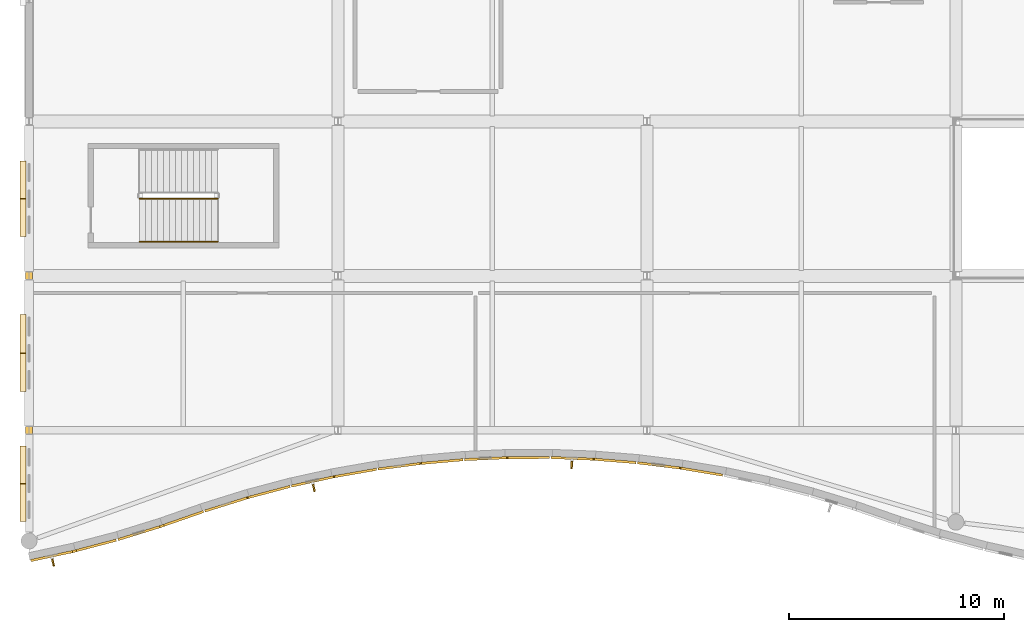
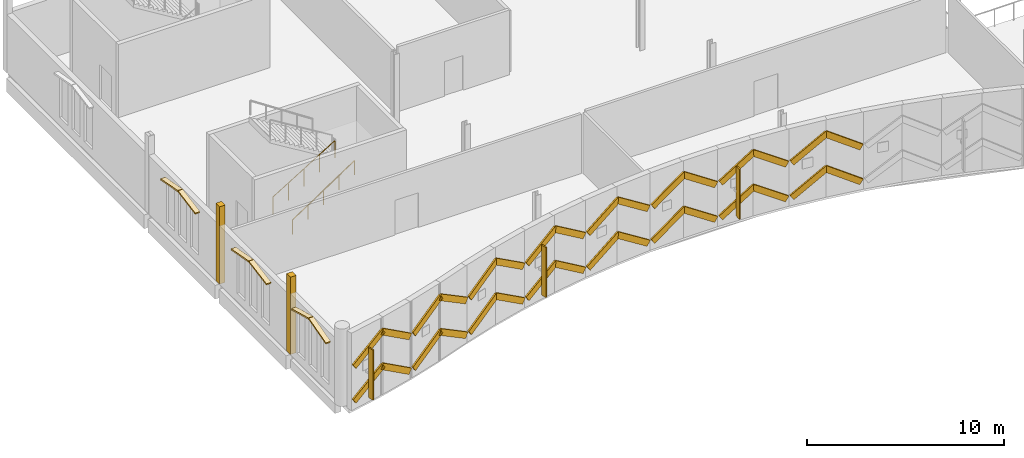
# One storey, part 171 of 193: 40 coverings, 3 shading devices, 2 railings.
"""IFC4 building model written with IfcOpenShell, lengths in metres."""

from ifc_helpers import new_model, si_unit, direction, frame, origin, origin_2d, place, context, subcontext, project, spatial, polyline, rectangle, circle, outline, extrude, material, layer, layer_set, type_object, element, save


model = new_model("IFC4")

# Units and contexts
model_context = context("Model", 3, precision=1e-05, world=origin(), true_north=direction((0.0, 1.0)))
body_context = subcontext(model_context, "Body", "Model", "MODEL_VIEW")
ifc_project = project(units=[si_unit("LENGTHUNIT", "METRE"), si_unit("AREAUNIT", "SQUARE_METRE"), si_unit("VOLUMEUNIT", "CUBIC_METRE"), si_unit("PLANEANGLEUNIT", "RADIAN"), si_unit("MASSUNIT", "GRAM", prefix="KILO")], contexts=[model_context])

# Site, building, storey
site_placement = place(None, origin())
site = spatial("IfcSite", under=ifc_project, at=site_placement, CompositionType="ELEMENT")
building_placement = place(site_placement, origin())
building = spatial("IfcBuilding", under=site, at=building_placement, Name="Cendralis Lancet Convention Centre", CompositionType="ELEMENT")
storey_placement = place(building_placement, frame((0.0, 0.0, 10.199951171875)))
storey = spatial("IfcBuildingStorey", under=building, at=storey_placement, Name="L02", CompositionType="ELEMENT", Elevation=10.199951171875)

# Coverings
ifc_material_1 = material(Name="Warm buff sandstone chevron cassette", Category="masonry")
ifc_layer_1 = layer(ifc_material_1, 0.06005859375, Name="Warm buff sandstone chevron cassette")
ifc_layer_set_1 = layer_set([ifc_layer_1], Name="Warm buff sandstone chevron cassette")
covering_type_1 = type_object("IfcCoveringType", Name="ARC-CV-CLAD1", PredefinedType="CLADDING", material=ifc_layer_set_1)
covering_1_placement = place(storey_placement, frame((0.09521484375, 1.074462890625, 0.699951171875), z_axis=(-0.534264422169, -0.115352545696, 0.837409886141), x_axis=(0.818477390055, 0.177059631031, 0.546575382749)))
element("IfcCovering", 1, at=covering_1_placement, inside=storey, type_object=covering_type_1, Name="L02 Diagonal Stone Chevron Relief CL-ST1 #0003", PredefinedType="CLADDING", context=body_context, shape_type="SweptSolid", body=[
    extrude(outline(polyline([(0.0, 0.0), (2.3785352746506123, -5.095750210681871e-18), (2.3785721119549623, 0.10989717826507894), (3.683730435013327e-05, 0.10989717826507893), (0.0, 0.0)])), origin(), (0.0, 0.0, -1.0), 0.360107421875),
])
covering_2_placement = place(storey_placement, frame((2.130859375, 1.516845703125, 2.0), z_axis=(0.524606171224, 0.137927454891, 0.84009784091), x_axis=(0.81262432803, 0.213087239418, -0.54243481626)))
element("IfcCovering", 2, at=covering_2_placement, inside=storey, type_object=covering_type_1, Name="L02 Diagonal Stone Chevron Relief CL-ST1 #0009", PredefinedType="CLADDING", context=body_context, shape_type="SweptSolid", body=[
    extrude(outline(polyline([(0.0, 0.0), (2.3968165992358967, -1.533603972980746e-16), (2.396631333470113, 0.10984953104359214), (6.51520973630644e-05, 0.11002370531413276), (0.0, 0.0)])), origin(), (0.0, 0.0, -1.0), 0.360107421875),
])
covering_3_placement = place(storey_placement, frame((4.16650390625, 2.052734375, 0.699951171875), z_axis=(-0.513116687183, -0.159304831951, 0.843405736198), x_axis=(0.805718133303, 0.249302453814, 0.537277001359)))
element("IfcCovering", 3, at=covering_3_placement, inside=storey, type_object=covering_type_1, Name="L02 Diagonal Stone Chevron Relief CL-ST1 #0015", PredefinedType="CLADDING", context=body_context, shape_type="SweptSolid", body=[
    extrude(outline(polyline([(0.0, 0.0), (2.419797707072139, 7.686993402922226e-17), (2.419610652696563, 0.10995963308373377), (9.654153062380044e-06, 0.10988740311742318), (0.0, 0.0)])), origin(), (0.0, 0.0, -1.0), 0.360107421875),
])
covering_4_placement = place(storey_placement, frame((6.200927734375, 2.683837890625, 2.0), z_axis=(0.503400481983, 0.174890308294, 0.846168620787), x_axis=(0.799122559196, 0.278216745719, -0.532915169408)))
element("IfcCovering", 4, at=covering_4_placement, inside=storey, type_object=covering_type_1, Name="L02 Diagonal Stone Chevron Relief CL-ST1 #0021", PredefinedType="CLADDING", context=body_context, shape_type="SweptSolid", body=[
    extrude(outline(polyline([(0.0, 0.0), (2.439504264008427, 3.7513395167998453e-17), (2.439565346751399, 0.11010172080089158), (6.10827429723855e-05, 0.11010172080089148), (0.0, 0.0)])), origin(), (0.0, 0.0, -1.0), 0.360107421875),
])
covering_5_placement = place(storey_placement, frame((8.218505859375, 3.385009765625, 0.699951171875), z_axis=(-0.512432144348, -0.160879859272, 0.843522950678), x_axis=(0.804983924834, 0.252055485297, 0.537093020892)))
element("IfcCovering", 5, at=covering_5_placement, inside=storey, type_object=covering_type_1, Name="L02 Diagonal Stone Chevron Relief CL-ST1 #0027", PredefinedType="CLADDING", context=body_context, shape_type="SweptSolid", body=[
    extrude(outline(polyline([(0.0, 0.0), (2.4205282466077915, -1.0072238182390336e-16), (2.420457697004613, 0.11003267011553743), (-7.054960317889533e-05, 0.11003267011553755), (0.0, 0.0)])), origin(), (0.0, 0.0, -1.0), 0.360107421875),
])
covering_6_placement = place(storey_placement, frame((10.232666015625, 4.01416015625, 2.0), z_axis=(0.524033667358, 0.138820845367, 0.840307972334), x_axis=(0.812149151955, 0.215711222203, -0.542109235851)))
element("IfcCovering", 6, at=covering_6_placement, inside=storey, type_object=covering_type_1, Name="L02 Diagonal Stone Chevron Relief CL-ST1 #0033", PredefinedType="CLADDING", context=body_context, shape_type="SweptSolid", body=[
    extrude(outline(polyline([(0.0, 0.0), (2.398229906017896, -1.7564075194265172e-17), (2.3981910366950805, 0.11014825940735083), (0.00015940927873638391, 0.11008563247323438), (0.0, 0.0)])), origin(), (0.0, 0.0, -1.0), 0.360107421875),
])
covering_7_placement = place(storey_placement, frame((12.246826171875, 4.5478515625, 0.699951171875), z_axis=(-0.533420798181, -0.116988879601, 0.837720630113), x_axis=(0.81822789198, 0.179663528864, 0.546099014083)))
element("IfcCovering", 7, at=covering_7_placement, inside=storey, type_object=covering_type_1, Name="L02 Diagonal Stone Chevron Relief CL-ST1 #0039", PredefinedType="CLADDING", context=body_context, shape_type="SweptSolid", body=[
    extrude(outline(polyline([(0.0, 0.0), (2.380709986003062, 9.0015885370609e-17), (2.3806328002555412, 0.11000122332785592), (0.00012257692141973142, 0.10994888071154302), (0.0, 0.0)])), origin(), (0.0, 0.0, -1.0), 0.360107421875),
])
covering_8_placement = place(storey_placement, frame((14.26220703125, 4.989013671875, 2.0), z_axis=(0.54132887114, 0.095205528633, 0.835403471736), x_axis=(0.822864596365, 0.144197422804, -0.549637116019)))
element("IfcCovering", 8, at=covering_8_placement, inside=storey, type_object=covering_type_1, Name="L02 Diagonal Stone Chevron Relief CL-ST1 #0045", PredefinedType="CLADDING", context=body_context, shape_type="SweptSolid", body=[
    extrude(outline(polyline([(0.0, 0.0), (2.365268067548942, 1.588356182691264e-17), (2.365229058078382, 0.11005841291991537), (-7.4213919486487e-05, 0.10981794456539315), (0.0, 0.0)])), origin(), (0.0, 0.0, -1.0), 0.360107421875),
])
covering_9_placement = place(storey_placement, frame((16.276123046875, 5.340576171875, 0.699951171875), z_axis=(-0.547501786097, -0.072346260649, 0.833671285814), x_axis=(0.826583035916, 0.108482543318, 0.552260828351)))
element("IfcCovering", 9, at=covering_9_placement, inside=storey, type_object=covering_type_1, Name="L02 Diagonal Stone Chevron Relief CL-ST1 #0051", PredefinedType="CLADDING", context=body_context, shape_type="SweptSolid", body=[
    extrude(outline(polyline([(0.0, 0.0), (2.3540352655105607, 1.0191500421363742e-17), (2.353967711248907, 0.11007735277893672), (-9.403925758104219e-05, 0.1098352965454656), (0.0, 0.0)])), origin(), (0.0, 0.0, -1.0), 0.360107421875),
])
covering_10_placement = place(storey_placement, frame((18.290283203125, 5.603515625, 2.0), z_axis=(0.551959934038, 0.049172377197, 0.83241955079), x_axis=(0.829189448705, 0.07326171836, -0.554145810035)))
element("IfcCovering", 10, at=covering_10_placement, inside=storey, type_object=covering_type_1, Name="L02 Diagonal Stone Chevron Relief CL-ST1 #0057", PredefinedType="CLADDING", context=body_context, shape_type="SweptSolid", body=[
    extrude(outline(polyline([(0.0, 0.0), (2.3460410682233244, -1.4040418133687282e-17), (2.345974401620591, 0.11005325519296659), (-6.666660273303357e-05, 0.11005325519296662), (0.0, 0.0)])), origin(), (0.0, 0.0, -1.0), 0.360107421875),
])
covering_11_placement = place(storey_placement, frame((20.303955078125, 5.780029296875, 0.699951171875), z_axis=(-0.554551451117, -0.024646731161, 0.831784363105), x_axis=(0.830928034886, 0.037736287621, 0.55509870603)))
element("IfcCovering", 11, at=covering_11_placement, inside=storey, type_object=covering_type_1, Name="L02 Diagonal Stone Chevron Relief CL-ST1 #0063", PredefinedType="CLADDING", context=body_context, shape_type="SweptSolid", body=[
    extrude(outline(polyline([(0.0, 0.0), (2.3420137968284065, -2.168404344971009e-19), (2.3421023634133253, 0.10997169899972807), (8.856658491903681e-05, 0.10997169899972807), (0.0, 0.0)])), origin(), (0.0, 0.0, -1.0), 0.360107421875),
])
covering_12_placement = place(storey_placement, frame((22.319091796875, 5.8701171875, 2.0), z_axis=(0.555705344938, 0.001848243941, 0.831377263101), x_axis=(0.83137100905, 0.003235303625, -0.555708357074)))
element("IfcCovering", 12, at=covering_12_placement, inside=storey, type_object=covering_type_1, Name="L02 Diagonal Stone Chevron Relief CL-ST1 #0069", PredefinedType="CLADDING", context=body_context, shape_type="SweptSolid", body=[
    extrude(outline(polyline([(0.0, 0.0), (2.339342957500622, -2.4936649967166602e-18), (2.3394962170040134, 0.11010756498317643), (-4.971193436520963e-05, 0.11010847241542183), (0.0, 0.0)])), origin(), (0.0, 0.0, -1.0), 0.360107421875),
])
covering_13_placement = place(storey_placement, frame((24.33251953125, 5.876708984375, 0.699951171875), z_axis=(-0.554951138178, 0.022198045527, 0.831586724888), x_axis=(0.830953976238, -0.032437139025, 0.555394743751)))
element("IfcCovering", 13, at=covering_13_placement, inside=storey, type_object=covering_type_1, Name="L02 Diagonal Stone Chevron Relief CL-ST1 #0075", PredefinedType="CLADDING", context=body_context, shape_type="SweptSolid", body=[
    extrude(outline(polyline([(0.0, 0.0), (2.3407654515132994, -1.1384122811097797e-17), (2.34085345420157, 0.10995110152904647), (8.80026882704439e-05, 0.10995110152904647), (0.0, 0.0)])), origin(), (0.0, 0.0, -1.0), 0.360107421875),
])
covering_14_placement = place(storey_placement, frame((26.346435546875, 5.796630859375, 2.0), z_axis=(0.552585910248, -0.0449206809, 0.832244521894), x_axis=(0.829531137525, -0.067149540696, -0.554408722029)))
element("IfcCovering", 14, at=covering_14_placement, inside=storey, type_object=covering_type_1, Name="L02 Diagonal Stone Chevron Relief CL-ST1 #0081", PredefinedType="CLADDING", context=body_context, shape_type="SweptSolid", body=[
    extrude(outline(polyline([(0.0, 0.0), (2.3450297857293902, -4.174178364069192e-18), (2.3449597117983223, 0.10997087864770992), (0.00013244831930383193, 0.10999060258684137), (0.0, 0.0)])), origin(), (0.0, 0.0, -1.0), 0.360107421875),
])
covering_15_placement = place(storey_placement, frame((28.360107421875, 5.632080078125, 0.699951171875), z_axis=(-0.548525685574, 0.067491974735, 0.833405306926), x_axis=(0.827073125683, -0.10254087692, 0.552662114979)))
element("IfcCovering", 15, at=covering_15_placement, inside=storey, type_object=covering_type_1, Name="L02 Diagonal Stone Chevron Relief CL-ST1 #0087", PredefinedType="CLADDING", context=body_context, shape_type="SweptSolid", body=[
    extrude(outline(polyline([(0.0, 0.0), (2.3523393279369476, 3.686287386450715e-17), (2.3522546721579833, 0.10995381463037417), (-8.46557789641808e-05, 0.10995381463037412), (0.0, 0.0)])), origin(), (0.0, 0.0, -1.0), 0.360107421875),
])
covering_16_placement = place(storey_placement, frame((30.373779296875, 5.381103515625, 2.0), z_axis=(0.542412257957, -0.090910490929, 0.835179157461), x_axis=(0.823717737844, -0.137888802607, -0.549977969084)))
element("IfcCovering", 16, at=covering_16_placement, inside=storey, type_object=covering_type_1, Name="L02 Diagonal Stone Chevron Relief CL-ST1 #0093", PredefinedType="CLADDING", context=body_context, shape_type="SweptSolid", body=[
    extrude(outline(polyline([(0.0, 0.0), (2.363736131873474, 4.50079426853045e-17), (2.36383825911422, 0.11017473594647724), (-6.531146414592501e-05, 0.10989362576594278), (0.0, 0.0)])), origin(), (0.0, 0.0, -1.0), 0.360107421875),
])
for number, where, z_axis, x_axis, name in (
    (17, (-0.419921875, 2.960205078125, 3.27001953125), (0.0, -0.262000790167, 0.965067658743), (1.0, 0.0, 0.0), "L02 Gothic Pointed Lancet Hood-Mould #0271L"),
    (18, (-0.419921875, 4.730224609375, 3.7451171875), (0.0, 0.262000790167, 0.965067658743), (1.0, 0.0, 0.0), "L02 Gothic Pointed Lancet Hood-Mould #0272R"),
):
    element("IfcCovering", number, at=place(storey_placement, frame(where, z_axis=z_axis, x_axis=x_axis)), inside=storey, type_object=covering_type_1, Name=name, PredefinedType="CLADDING", context=body_context, shape_type="SweptSolid", body=[
        extrude(outline(polyline([(0.0, 0.0), (0.284912109375, 0.0), (0.284912109375, 1.8133443641443958), (0.0, 1.8133443641443958), (0.0, 0.0)])), origin(), (0.0, 0.0, -1.0), 0.090087890625),
    ])
for number, where, z_axis, x_axis, name in (
    (19, (-0.419921875, 9.0, 3.27001953125), (0.0, -0.178613820285, 0.983919256445), (1.0, 0.0, 0.0), "L02 Gothic Pointed Lancet Hood-Mould #0273L"),
    (20, (-0.419921875, 10.81005859375, 3.594970703125), (0.0, 0.178613820285, 0.983919256445), (1.0, 0.0, 0.0), "L02 Gothic Pointed Lancet Hood-Mould #0274R"),
):
    element("IfcCovering", number, at=place(storey_placement, frame(where, z_axis=z_axis, x_axis=x_axis)), inside=storey, type_object=covering_type_1, Name=name, PredefinedType="CLADDING", context=body_context, shape_type="SweptSolid", body=[
        extrude(outline(polyline([(0.0, 0.0), (0.284912109375, 0.0), (0.284912109375, 1.81929467359711), (0.0, 1.81929467359711), (0.0, 0.0)])), origin(), (0.0, 0.0, -1.0), 0.090087890625),
    ])
for number, where, z_axis, x_axis, name in (
    (21, (-0.419921875, 16.239990234375, 3.27001953125), (0.0, -0.182565675527, 0.983193660537), (1.0, 0.0, 0.0), "L02 Gothic Pointed Lancet Hood-Mould #0275L"),
    (22, (-0.419921875, 18.010009765625, 3.594970703125), (0.0, 0.182565675527, 0.983193660537), (1.0, 0.0, 0.0), "L02 Gothic Pointed Lancet Hood-Mould #0276R"),
):
    element("IfcCovering", number, at=place(storey_placement, frame(where, z_axis=z_axis, x_axis=x_axis)), inside=storey, type_object=covering_type_1, Name=name, PredefinedType="CLADDING", context=body_context, shape_type="SweptSolid", body=[
        extrude(outline(polyline([(0.0, 0.0), (0.284912109375, 0.0), (0.284912109375, 1.7799138361457094), (0.0, 1.7799138361457094), (0.0, 0.0)])), origin(), (0.0, 0.0, -1.0), 0.090087890625),
    ])
covering_17_placement = place(storey_placement, origin())
element("IfcCovering", 23, at=covering_17_placement, inside=storey, type_object=covering_type_1, Name="Exterior Column Stone Fire-Casing L02 #017", PredefinedType="CLADDING", context=body_context, shape_type="SweptSolid", body=[
    extrude(outline(polyline([(-0.162109375, 7.008056640625), (0.162109375, 7.008056640625), (0.162109375, 7.39208984375), (-0.162109375, 7.39208984375), (-0.162109375, 7.008056640625)])), origin(), (0.0, 0.0, 1.0), 4.800048828125),
])
covering_18_placement = place(storey_placement, origin())
element("IfcCovering", 24, at=covering_18_placement, inside=storey, type_object=covering_type_1, Name="Exterior Column Stone Fire-Casing L02 #018", PredefinedType="CLADDING", context=body_context, shape_type="SweptSolid", body=[
    extrude(outline(polyline([(-0.162109375, 14.2080078125), (0.162109375, 14.2080078125), (0.162109375, 14.592041015625), (-0.162109375, 14.592041015625), (-0.162109375, 14.2080078125)])), origin(), (0.0, 0.0, 1.0), 4.800048828125),
])
ifc_material_2 = material(Name="Dark Andean slate chevron cassette", Category="masonry")
ifc_layer_2 = layer(ifc_material_2, 0.06005859375, Name="Dark Andean slate chevron cassette")
ifc_layer_set_2 = layer_set([ifc_layer_2], Name="Dark Andean slate chevron cassette")
covering_type_2 = type_object("IfcCoveringType", Name="ARC-CV-CLAD2", PredefinedType="CLADDING", material=ifc_layer_set_2)
covering_19_placement = place(storey_placement, frame((0.09521484375, 1.074462890625, 2.85009765625), z_axis=(-0.534264422169, -0.115352545696, 0.837409886141), x_axis=(0.818477390055, 0.177059631031, 0.546575382749)))
element("IfcCovering", 25, at=covering_19_placement, inside=storey, type_object=covering_type_2, Name="L02 Diagonal Stone Chevron Relief CL-ST2 #0004", PredefinedType="CLADDING", context=body_context, shape_type="SweptSolid", body=[
    extrude(outline(polyline([(0.0, 0.0), (2.3785352746506123, -5.095750210681871e-18), (2.3785721119549623, 0.10989717826507894), (3.683730435013327e-05, 0.10989717826507893), (0.0, 0.0)])), origin(), (0.0, 0.0, -1.0), 0.360107421875),
])
covering_20_placement = place(storey_placement, frame((2.130859375, 1.516845703125, 4.150146484375), z_axis=(0.524606171224, 0.137927454891, 0.84009784091), x_axis=(0.81262432803, 0.213087239418, -0.54243481626)))
element("IfcCovering", 26, at=covering_20_placement, inside=storey, type_object=covering_type_2, Name="L02 Diagonal Stone Chevron Relief CL-ST2 #0010", PredefinedType="CLADDING", context=body_context, shape_type="SweptSolid", body=[
    extrude(outline(polyline([(0.0, 0.0), (2.3968165992358967, -1.533603972980746e-16), (2.396631333470113, 0.10984953104359214), (6.51520973630644e-05, 0.11002370531413276), (0.0, 0.0)])), origin(), (0.0, 0.0, -1.0), 0.360107421875),
])
covering_21_placement = place(storey_placement, frame((4.16650390625, 2.052734375, 2.85009765625), z_axis=(-0.513116687183, -0.159304831951, 0.843405736198), x_axis=(0.805718133303, 0.249302453814, 0.537277001359)))
element("IfcCovering", 27, at=covering_21_placement, inside=storey, type_object=covering_type_2, Name="L02 Diagonal Stone Chevron Relief CL-ST2 #0016", PredefinedType="CLADDING", context=body_context, shape_type="SweptSolid", body=[
    extrude(outline(polyline([(0.0, 0.0), (2.419797707072139, 7.686993402922226e-17), (2.419610652696563, 0.10995963308373377), (9.654153062380044e-06, 0.10988740311742318), (0.0, 0.0)])), origin(), (0.0, 0.0, -1.0), 0.360107421875),
])
covering_22_placement = place(storey_placement, frame((6.200927734375, 2.683837890625, 4.150146484375), z_axis=(0.503400481983, 0.174890308294, 0.846168620787), x_axis=(0.799122559196, 0.278216745719, -0.532915169408)))
element("IfcCovering", 28, at=covering_22_placement, inside=storey, type_object=covering_type_2, Name="L02 Diagonal Stone Chevron Relief CL-ST2 #0022", PredefinedType="CLADDING", context=body_context, shape_type="SweptSolid", body=[
    extrude(outline(polyline([(0.0, 0.0), (2.439504264008427, 3.7513395167998453e-17), (2.439565346751399, 0.11010172080089158), (6.10827429723855e-05, 0.11010172080089148), (0.0, 0.0)])), origin(), (0.0, 0.0, -1.0), 0.360107421875),
])
covering_23_placement = place(storey_placement, frame((8.218505859375, 3.385009765625, 2.85009765625), z_axis=(-0.512432144348, -0.160879859272, 0.843522950678), x_axis=(0.804983924834, 0.252055485297, 0.537093020892)))
element("IfcCovering", 29, at=covering_23_placement, inside=storey, type_object=covering_type_2, Name="L02 Diagonal Stone Chevron Relief CL-ST2 #0028", PredefinedType="CLADDING", context=body_context, shape_type="SweptSolid", body=[
    extrude(outline(polyline([(0.0, 0.0), (2.4205282466077915, -1.0072238182390336e-16), (2.420457697004613, 0.11003267011553743), (-7.054960317889533e-05, 0.11003267011553755), (0.0, 0.0)])), origin(), (0.0, 0.0, -1.0), 0.360107421875),
])
covering_24_placement = place(storey_placement, frame((10.232666015625, 4.01416015625, 4.150146484375), z_axis=(0.524033667358, 0.138820845367, 0.840307972334), x_axis=(0.812149151955, 0.215711222203, -0.542109235851)))
element("IfcCovering", 30, at=covering_24_placement, inside=storey, type_object=covering_type_2, Name="L02 Diagonal Stone Chevron Relief CL-ST2 #0034", PredefinedType="CLADDING", context=body_context, shape_type="SweptSolid", body=[
    extrude(outline(polyline([(0.0, 0.0), (2.398229906017896, -1.7564075194265172e-17), (2.3981910366950805, 0.11014825940735083), (0.00015940927873638391, 0.11008563247323438), (0.0, 0.0)])), origin(), (0.0, 0.0, -1.0), 0.360107421875),
])
covering_25_placement = place(storey_placement, frame((12.246826171875, 4.5478515625, 2.85009765625), z_axis=(-0.533420798181, -0.116988879601, 0.837720630113), x_axis=(0.81822789198, 0.179663528864, 0.546099014083)))
element("IfcCovering", 31, at=covering_25_placement, inside=storey, type_object=covering_type_2, Name="L02 Diagonal Stone Chevron Relief CL-ST2 #0040", PredefinedType="CLADDING", context=body_context, shape_type="SweptSolid", body=[
    extrude(outline(polyline([(0.0, 0.0), (2.380709986003062, 9.0015885370609e-17), (2.3806328002555412, 0.11000122332785592), (0.00012257692141973142, 0.10994888071154302), (0.0, 0.0)])), origin(), (0.0, 0.0, -1.0), 0.360107421875),
])
covering_26_placement = place(storey_placement, frame((14.26220703125, 4.989013671875, 4.150146484375), z_axis=(0.54132887114, 0.095205528633, 0.835403471736), x_axis=(0.822864596365, 0.144197422804, -0.549637116019)))
element("IfcCovering", 32, at=covering_26_placement, inside=storey, type_object=covering_type_2, Name="L02 Diagonal Stone Chevron Relief CL-ST2 #0046", PredefinedType="CLADDING", context=body_context, shape_type="SweptSolid", body=[
    extrude(outline(polyline([(0.0, 0.0), (2.365268067548942, 1.588356182691264e-17), (2.365229058078382, 0.11005841291991537), (-7.4213919486487e-05, 0.10981794456539315), (0.0, 0.0)])), origin(), (0.0, 0.0, -1.0), 0.360107421875),
])
covering_27_placement = place(storey_placement, frame((16.276123046875, 5.340576171875, 2.85009765625), z_axis=(-0.547501786097, -0.072346260649, 0.833671285814), x_axis=(0.826583035916, 0.108482543318, 0.552260828351)))
element("IfcCovering", 33, at=covering_27_placement, inside=storey, type_object=covering_type_2, Name="L02 Diagonal Stone Chevron Relief CL-ST2 #0052", PredefinedType="CLADDING", context=body_context, shape_type="SweptSolid", body=[
    extrude(outline(polyline([(0.0, 0.0), (2.3540352655105607, 1.0191500421363742e-17), (2.353967711248907, 0.11007735277893672), (-9.403925758104219e-05, 0.1098352965454656), (0.0, 0.0)])), origin(), (0.0, 0.0, -1.0), 0.360107421875),
])
covering_28_placement = place(storey_placement, frame((18.290283203125, 5.603515625, 4.150146484375), z_axis=(0.551959934038, 0.049172377197, 0.83241955079), x_axis=(0.829189448705, 0.07326171836, -0.554145810035)))
element("IfcCovering", 34, at=covering_28_placement, inside=storey, type_object=covering_type_2, Name="L02 Diagonal Stone Chevron Relief CL-ST2 #0058", PredefinedType="CLADDING", context=body_context, shape_type="SweptSolid", body=[
    extrude(outline(polyline([(0.0, 0.0), (2.3460410682233244, -1.4040418133687282e-17), (2.345974401620591, 0.11005325519296659), (-6.666660273303357e-05, 0.11005325519296662), (0.0, 0.0)])), origin(), (0.0, 0.0, -1.0), 0.360107421875),
])
covering_29_placement = place(storey_placement, frame((20.303955078125, 5.780029296875, 2.85009765625), z_axis=(-0.554551451117, -0.024646731161, 0.831784363105), x_axis=(0.830928034886, 0.037736287621, 0.55509870603)))
element("IfcCovering", 35, at=covering_29_placement, inside=storey, type_object=covering_type_2, Name="L02 Diagonal Stone Chevron Relief CL-ST2 #0064", PredefinedType="CLADDING", context=body_context, shape_type="SweptSolid", body=[
    extrude(outline(polyline([(0.0, 0.0), (2.3420137968284065, -2.168404344971009e-19), (2.3421023634133253, 0.10997169899972807), (8.856658491903681e-05, 0.10997169899972807), (0.0, 0.0)])), origin(), (0.0, 0.0, -1.0), 0.360107421875),
])
covering_30_placement = place(storey_placement, frame((22.319091796875, 5.8701171875, 4.150146484375), z_axis=(0.555705344938, 0.001848243941, 0.831377263101), x_axis=(0.83137100905, 0.003235303625, -0.555708357074)))
element("IfcCovering", 36, at=covering_30_placement, inside=storey, type_object=covering_type_2, Name="L02 Diagonal Stone Chevron Relief CL-ST2 #0070", PredefinedType="CLADDING", context=body_context, shape_type="SweptSolid", body=[
    extrude(outline(polyline([(0.0, 0.0), (2.339342957500622, -2.4936649967166602e-18), (2.3394962170040134, 0.11010756498317643), (-4.971193436520963e-05, 0.11010847241542183), (0.0, 0.0)])), origin(), (0.0, 0.0, -1.0), 0.360107421875),
])
covering_31_placement = place(storey_placement, frame((24.33251953125, 5.876708984375, 2.85009765625), z_axis=(-0.554951138178, 0.022198045527, 0.831586724888), x_axis=(0.830953976238, -0.032437139025, 0.555394743751)))
element("IfcCovering", 37, at=covering_31_placement, inside=storey, type_object=covering_type_2, Name="L02 Diagonal Stone Chevron Relief CL-ST2 #0076", PredefinedType="CLADDING", context=body_context, shape_type="SweptSolid", body=[
    extrude(outline(polyline([(0.0, 0.0), (2.3407654515132994, -1.1384122811097797e-17), (2.34085345420157, 0.10995110152904647), (8.80026882704439e-05, 0.10995110152904647), (0.0, 0.0)])), origin(), (0.0, 0.0, -1.0), 0.360107421875),
])
covering_32_placement = place(storey_placement, frame((26.346435546875, 5.796630859375, 4.150146484375), z_axis=(0.552585910248, -0.0449206809, 0.832244521894), x_axis=(0.829531137525, -0.067149540696, -0.554408722029)))
element("IfcCovering", 38, at=covering_32_placement, inside=storey, type_object=covering_type_2, Name="L02 Diagonal Stone Chevron Relief CL-ST2 #0082", PredefinedType="CLADDING", context=body_context, shape_type="SweptSolid", body=[
    extrude(outline(polyline([(0.0, 0.0), (2.3450297857293902, -4.174178364069192e-18), (2.3449597117983223, 0.10997087864770992), (0.00013244831930383193, 0.10999060258684137), (0.0, 0.0)])), origin(), (0.0, 0.0, -1.0), 0.360107421875),
])
covering_33_placement = place(storey_placement, frame((28.360107421875, 5.632080078125, 2.85009765625), z_axis=(-0.548525685574, 0.067491974735, 0.833405306926), x_axis=(0.827073125683, -0.10254087692, 0.552662114979)))
element("IfcCovering", 39, at=covering_33_placement, inside=storey, type_object=covering_type_2, Name="L02 Diagonal Stone Chevron Relief CL-ST2 #0088", PredefinedType="CLADDING", context=body_context, shape_type="SweptSolid", body=[
    extrude(outline(polyline([(0.0, 0.0), (2.3523393279369476, 3.686287386450715e-17), (2.3522546721579833, 0.10995381463037417), (-8.46557789641808e-05, 0.10995381463037412), (0.0, 0.0)])), origin(), (0.0, 0.0, -1.0), 0.360107421875),
])
covering_34_placement = place(storey_placement, frame((30.373779296875, 5.381103515625, 4.150146484375), z_axis=(0.542412257957, -0.090910490929, 0.835179157461), x_axis=(0.823717737844, -0.137888802607, -0.549977969084)))
element("IfcCovering", 40, at=covering_34_placement, inside=storey, type_object=covering_type_2, Name="L02 Diagonal Stone Chevron Relief CL-ST2 #0094", PredefinedType="CLADDING", context=body_context, shape_type="SweptSolid", body=[
    extrude(outline(polyline([(0.0, 0.0), (2.363736131873474, 4.50079426853045e-17), (2.36383825911422, 0.11017473594647724), (-6.531146414592501e-05, 0.10989362576594278), (0.0, 0.0)])), origin(), (0.0, 0.0, -1.0), 0.360107421875),
])

# Railings
ifc_material_3 = material(Name="Steel S355", Category="steel")
railing_type_1 = type_object("IfcRailingType", Name="ARC-RL-CGD", PredefinedType="GUARDRAIL", material=ifc_material_3)
railing_1_placement = place(storey_placement, frame((5.14990234375, 18.0, 0.17138671875)))
element("IfcRailing", 41, at=railing_1_placement, inside=storey, type_object=railing_type_1, Name="L02 ST-17 stair guard 1", PredefinedType="GUARDRAIL", context=body_context, shape_type="SweptSolid", body=[
    extrude(circle(Radius=0.02392578125, at=origin_2d()), frame((0.0, 0.0, 1.076171875), z_axis=(0.852840387347, 0.0, 0.522171689878), x_axis=(0.0, 1.0, 0.0)), (0.0, 0.0, 1.0), 4.268310546875),
    extrude(circle(Radius=0.02099609375, at=origin_2d()), origin(), (0.0, 0.0, 1.0), 1.052001953125),
    extrude(circle(Radius=0.02099609375, at=origin_2d()), frame((0.91015625, 0.0, 0.55712890625)), (0.0, 0.0, 1.0), 1.052001953125),
    extrude(circle(Radius=0.02099609375, at=origin_2d()), frame((1.820068359375, 0.0, 1.1142578125)), (0.0, 0.0, 1.0), 1.052001953125),
    extrude(circle(Radius=0.02099609375, at=origin_2d()), frame((2.72998046875, 0.0, 1.671630859375)), (0.0, 0.0, 1.0), 1.052001953125),
    extrude(circle(Radius=0.02099609375, at=origin_2d()), frame((3.64013671875, 0.0, 2.228759765625)), (0.0, 0.0, 1.0), 1.052001953125),
])
railing_type_2 = type_object("IfcRailingType", Name="ARC-RL-CHR", PredefinedType="HANDRAIL", material=ifc_material_3)
railing_2_placement = place(storey_placement, frame((5.14990234375, 16.0, 0.17138671875)))
element("IfcRailing", 42, at=railing_2_placement, inside=storey, type_object=railing_type_2, Name="L02 ST-17 stair handrail 1", PredefinedType="HANDRAIL", context=body_context, shape_type="SweptSolid", body=[
    extrude(circle(Radius=0.02392578125, at=origin_2d()), frame((0.0, 0.0, 0.8759765625), z_axis=(0.834856447115, 0.0, 0.55046772177), x_axis=(0.0, 1.0, 0.0)), (0.0, 0.0, 1.0), 4.360107421875),
    extrude(circle(Radius=0.02099609375, at=origin_2d()), origin(), (0.0, 0.0, 1.0), 0.851806640625),
    extrude(circle(Radius=0.02099609375, at=origin_2d()), frame((0.91015625, 0.0, 0.60009765625)), (0.0, 0.0, 1.0), 0.851806640625),
    extrude(circle(Radius=0.02099609375, at=origin_2d()), frame((1.820068359375, 0.0, 1.2001953125)), (0.0, 0.0, 1.0), 0.851806640625),
    extrude(circle(Radius=0.02099609375, at=origin_2d()), frame((2.72998046875, 0.0, 1.800048828125)), (0.0, 0.0, 1.0), 0.851806640625),
    extrude(circle(Radius=0.02099609375, at=origin_2d()), frame((3.64013671875, 0.0, 2.400146484375)), (0.0, 0.0, 1.0), 0.851806640625),
])

# Shading devices
ifc_material_4 = material(Name="Anodised bronze architectural aluminium", Category="aluminium")
shading_device_type = type_object("IfcShadingDeviceType", Name="ARC-SH-FIN1", PredefinedType="USERDEFINED", material=ifc_material_4)
for number, where, z_axis, x_axis, name in (
    (43, (1.122314453125, 1.035888671875, 0.449951171875), (0.0, 0.0, 1.0), (0.977397448997, 0.211410091278, 0.0), "Anodised Bronze Lancet Solar Fin SF-01 #002"),
    (44, (13.275634765625, 4.5126953125, 0.449951171875), (0.0, 0.0, 1.0), (0.976717230975, 0.214530768695, 0.0), "Anodised Bronze Lancet Solar Fin SF-01 #004"),
    (45, (25.295166015625, 5.583984375, 0.449951171875), (0.0, 0.0, 1.0), (0.999239960688, -0.038980776845, 0.0), "Anodised Bronze Lancet Solar Fin SF-01 #006"),
):
    element("IfcShadingDevice", number, at=place(storey_placement, frame(where, z_axis=z_axis, x_axis=x_axis)), inside=storey, type_object=shading_device_type, Name=name, ObjectType="FIN", PredefinedType="USERDEFINED", context=body_context, shape_type="SweptSolid", body=[
        extrude(rectangle(XDim=0.080078125, YDim=0.340087890625, at=origin_2d()), origin(), (0.0, 0.0, 1.0), 3.10009765625),
    ])

save(model, "model.ifc")
